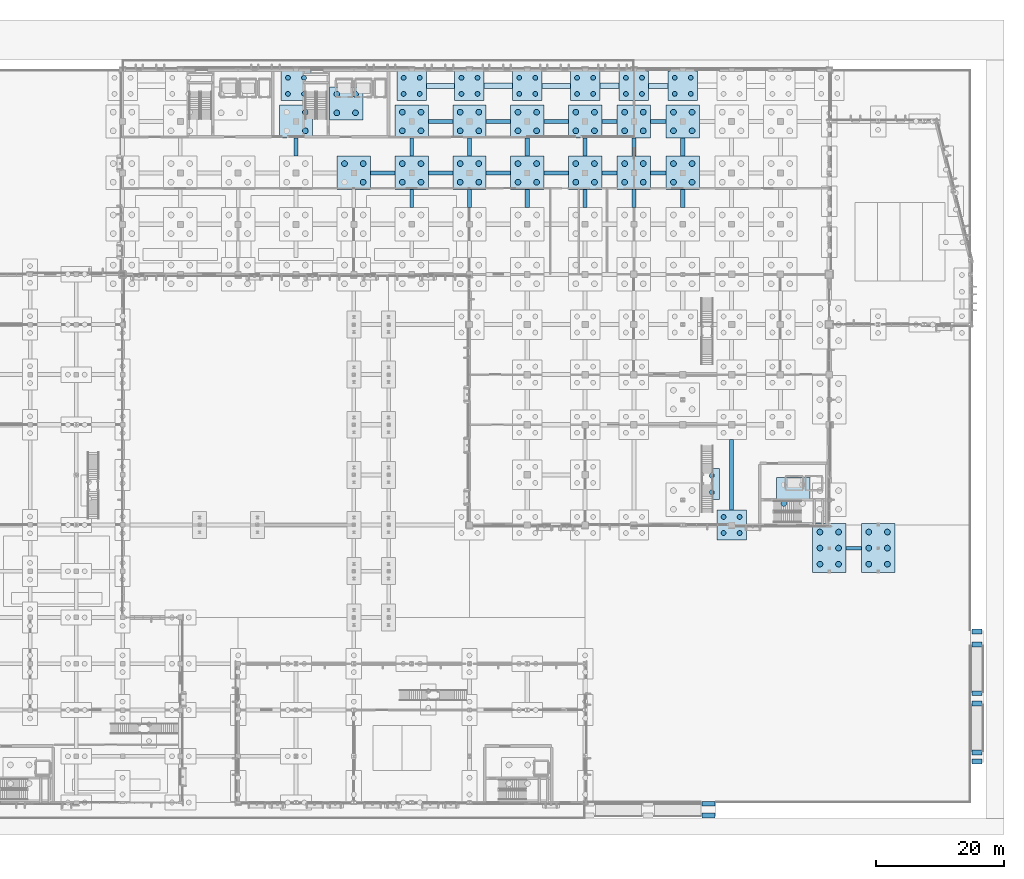
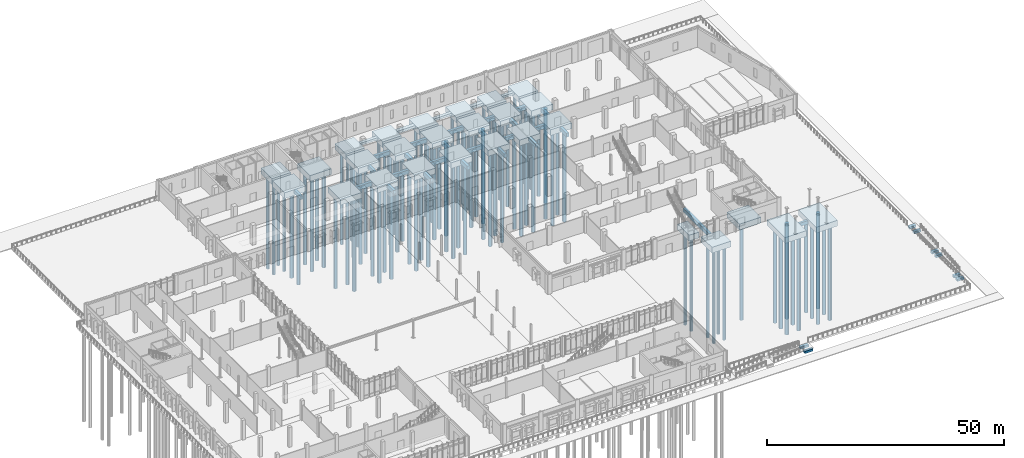
# One storey, part 12 of 94: 104 piles, 66 footings.
"""IFC4 building model written with IfcOpenShell, lengths in metres."""

from ifc_helpers import new_model, si_unit, direction, frame, origin, origin_2d, place, context, subcontext, project, spatial, rectangle, circle, extrude, material, material_profile, profile_set, type_object, element, save


model = new_model("IFC4")

# Units and contexts
model_context = context("Model", 3, precision=1e-05, world=origin(), true_north=direction((0.0, 1.0)))
body_context = subcontext(model_context, "Body", "Model", "MODEL_VIEW")
ifc_project = project(units=[si_unit("LENGTHUNIT", "METRE"), si_unit("AREAUNIT", "SQUARE_METRE"), si_unit("VOLUMEUNIT", "CUBIC_METRE"), si_unit("PLANEANGLEUNIT", "RADIAN"), si_unit("MASSUNIT", "GRAM", prefix="KILO")], contexts=[model_context])

# Site, building, storey
site_placement = place(None, origin())
site = spatial("IfcSite", under=ifc_project, at=site_placement, CompositionType="ELEMENT")
building_placement = place(site_placement, origin())
building = spatial("IfcBuilding", under=site, at=building_placement, Name="Vervanel Yard Central Library", CompositionType="ELEMENT")
storey_placement = place(building_placement, origin())
storey = spatial("IfcBuildingStorey", under=building, at=storey_placement, Name="L00", CompositionType="ELEMENT", Elevation=0.0)

# Piles
ifc_material = material(Name="Concrete C40/50", Category="concrete")
ifc_material_profile_1 = material_profile(ifc_material, circle(Radius=0.375, at=origin_2d()), Name="BP D750", Category="concrete")
ifc_profile_set_1 = profile_set([ifc_material_profile_1], Name="Concrete C40/50")
pile_type_1 = type_object("IfcPileType", Name="Bored Concrete Pile D750", PredefinedType="BORED", material=ifc_profile_set_1)
for number, where, z_axis, x_axis, name in (
    (1, (61.75, 110.300048828125, -1.75), (0.0, 0.0, -1.0), (1.0, 0.0, 0.0), "Bored Concrete Pile 269 under PCAP-066"),
    (2, (64.25, 110.300048828125, -1.75), (0.0, 0.0, -1.0), (1.0, 0.0, 0.0), "Bored Concrete Pile 270 under PCAP-066"),
    (3, (61.75, 112.800048828125, -1.75), (0.0, 0.0, -1.0), (1.0, 0.0, 0.0), "Bored Concrete Pile 271 under PCAP-066"),
    (4, (64.25, 112.800048828125, -1.75), (0.0, 0.0, -1.0), (1.0, 0.0, 0.0), "Bored Concrete Pile 272 under PCAP-066"),
    (5, (79.75, 110.300048828125, -1.75), (0.0, 0.0, -1.0), (1.0, 0.0, 0.0), "Bored Concrete Pile 273 under PCAP-067"),
    (6, (82.25, 110.300048828125, -1.75), (0.0, 0.0, -1.0), (1.0, 0.0, 0.0), "Bored Concrete Pile 274 under PCAP-067"),
    (7, (79.75, 112.800048828125, -1.75), (0.0, 0.0, -1.0), (1.0, 0.0, 0.0), "Bored Concrete Pile 275 under PCAP-067"),
    (8, (82.25, 112.800048828125, -1.75), (0.0, 0.0, -1.0), (1.0, 0.0, 0.0), "Bored Concrete Pile 276 under PCAP-067"),
    (9, (88.75, 110.300048828125, -1.75), (0.0, 0.0, -1.0), (1.0, 0.0, 0.0), "Bored Concrete Pile 285 under PCAP-070"),
    (10, (91.25, 110.300048828125, -1.75), (0.0, 0.0, -1.0), (1.0, 0.0, 0.0), "Bored Concrete Pile 286 under PCAP-070"),
    (11, (88.75, 112.800048828125, -1.75), (0.0, 0.0, -1.0), (1.0, 0.0, 0.0), "Bored Concrete Pile 287 under PCAP-070"),
    (12, (91.25, 112.800048828125, -1.75), (0.0, 0.0, -1.0), (1.0, 0.0, 0.0), "Bored Concrete Pile 288 under PCAP-070"),
    (13, (97.75, 110.300048828125, -1.75), (0.0, 0.0, -1.0), (1.0, 0.0, 0.0), "Bored Concrete Pile 309 under PCAP-076"),
    (14, (100.25, 110.300048828125, -1.75), (0.0, 0.0, -1.0), (1.0, 0.0, 0.0), "Bored Concrete Pile 310 under PCAP-076"),
    (15, (97.75, 112.800048828125, -1.75), (0.0, 0.0, -1.0), (1.0, 0.0, 0.0), "Bored Concrete Pile 311 under PCAP-076"),
    (16, (100.25, 112.800048828125, -1.75), (0.0, 0.0, -1.0), (1.0, 0.0, 0.0), "Bored Concrete Pile 312 under PCAP-076"),
    (17, (106.75, 110.300048828125, -1.75), (0.0, 0.0, -1.0), (1.0, 0.0, 0.0), "Bored Concrete Pile 333 under PCAP-082"),
    (18, (109.25, 110.300048828125, -1.75), (0.0, 0.0, -1.0), (1.0, 0.0, 0.0), "Bored Concrete Pile 334 under PCAP-082"),
    (19, (106.75, 112.800048828125, -1.75), (0.0, 0.0, -1.0), (1.0, 0.0, 0.0), "Bored Concrete Pile 335 under PCAP-082"),
    (20, (109.25, 112.800048828125, -1.75), (0.0, 0.0, -1.0), (1.0, 0.0, 0.0), "Bored Concrete Pile 336 under PCAP-082"),
    (21, (114.35009765625, 110.300048828125, -1.75), (0.0, 0.0, -1.0), (1.0, 0.0, 0.0), "Bored Concrete Pile 353 under PCAP-087"),
    (22, (116.85009765625, 110.300048828125, -1.75), (0.0, 0.0, -1.0), (1.0, 0.0, 0.0), "Bored Concrete Pile 354 under PCAP-087"),
    (23, (114.35009765625, 112.800048828125, -1.75), (0.0, 0.0, -1.0), (1.0, 0.0, 0.0), "Bored Concrete Pile 355 under PCAP-087"),
    (24, (116.85009765625, 112.800048828125, -1.75), (0.0, 0.0, -1.0), (1.0, 0.0, 0.0), "Bored Concrete Pile 356 under PCAP-087"),
    (25, (121.949951171875, 110.300048828125, -1.75), (0.0, 0.0, -1.0), (1.0, 0.0, 0.0), "Bored Concrete Pile 361 under PCAP-089"),
    (26, (124.449951171875, 110.300048828125, -1.75), (0.0, 0.0, -1.0), (1.0, 0.0, 0.0), "Bored Concrete Pile 362 under PCAP-089"),
    (27, (121.949951171875, 112.800048828125, -1.75), (0.0, 0.0, -1.0), (1.0, 0.0, 0.0), "Bored Concrete Pile 363 under PCAP-089"),
    (28, (124.449951171875, 112.800048828125, -1.75), (0.0, 0.0, -1.0), (1.0, 0.0, 0.0), "Bored Concrete Pile 364 under PCAP-089"),
    (29, (129.550048828125, 41.949951171875, -1.75), (0.0, 0.0, -1.0), (1.0, 0.0, 0.0), "Bored Concrete Pile 365 under PCAP-090"),
    (30, (132.050048828125, 41.949951171875, -1.75), (0.0, 0.0, -1.0), (1.0, 0.0, 0.0), "Bored Concrete Pile 366 under PCAP-090"),
    (31, (129.550048828125, 44.449951171875, -1.75), (0.0, 0.0, -1.0), (1.0, 0.0, 0.0), "Bored Concrete Pile 367 under PCAP-090"),
    (32, (132.050048828125, 44.449951171875, -1.75), (0.0, 0.0, -1.0), (1.0, 0.0, 0.0), "Bored Concrete Pile 368 under PCAP-090"),
    (33, (127.719970703125, 48.280029296875, -1.75), (0.0, 0.0, -1.0), (1.0, 0.0, 0.0), "Bored Concrete Pile 511 under PCAP-153"),
    (34, (127.719970703125, 50.8798828125, -1.75), (0.0, 0.0, -1.0), (1.0, 0.0, 0.0), "Bored Concrete Pile 512 under PCAP-153"),
):
    element("IfcPile", number, at=place(storey_placement, frame(where, z_axis=z_axis, x_axis=x_axis)), inside=storey, type_object=pile_type_1, Name=name, PredefinedType="BORED", context=body_context, shape_type="SweptSolid", body=[
        extrude(circle(Radius=0.375, at=origin_2d()), origin(), (0.0, 0.0, 1.0), 24.25),
    ])
ifc_material_profile_2 = material_profile(ifc_material, circle(Radius=0.449951171875, at=origin_2d()), Name="BP D900", Category="concrete")
ifc_profile_set_2 = profile_set([ifc_material_profile_2], Name="Concrete C40/50")
pile_type_2 = type_object("IfcPileType", Name="Bored Concrete Pile D900", PredefinedType="BORED", material=ifc_profile_set_2)
for number, where, z_axis, x_axis, name in (
    (35, (144.550048828125, 37.10009765625, -1.35400390625), (0.0, 0.0, -1.0), (1.0, 0.0, 0.0), "Bored Concrete Pile 1 under PCAP-001"),
    (36, (147.449951171875, 37.10009765625, -1.35400390625), (0.0, 0.0, -1.0), (1.0, 0.0, 0.0), "Bored Concrete Pile 2 under PCAP-001"),
    (37, (144.550048828125, 39.60009765625, -1.35400390625), (0.0, 0.0, -1.0), (1.0, 0.0, 0.0), "Bored Concrete Pile 3 under PCAP-001"),
    (38, (147.449951171875, 39.60009765625, -1.35400390625), (0.0, 0.0, -1.0), (1.0, 0.0, 0.0), "Bored Concrete Pile 4 under PCAP-001"),
    (39, (144.550048828125, 42.10009765625, -1.35400390625), (0.0, 0.0, -1.0), (1.0, 0.0, 0.0), "Bored Concrete Pile 5 under PCAP-001"),
    (40, (147.449951171875, 42.10009765625, -1.35400390625), (0.0, 0.0, -1.0), (1.0, 0.0, 0.0), "Bored Concrete Pile 6 under PCAP-001"),
    (41, (152.14990234375, 37.10009765625, -1.35400390625), (0.0, 0.0, -1.0), (1.0, 0.0, 0.0), "Bored Concrete Pile 19 under PCAP-004"),
    (42, (155.050048828125, 37.10009765625, -1.35400390625), (0.0, 0.0, -1.0), (1.0, 0.0, 0.0), "Bored Concrete Pile 20 under PCAP-004"),
    (43, (152.14990234375, 39.60009765625, -1.35400390625), (0.0, 0.0, -1.0), (1.0, 0.0, 0.0), "Bored Concrete Pile 21 under PCAP-004"),
    (44, (155.050048828125, 39.60009765625, -1.35400390625), (0.0, 0.0, -1.0), (1.0, 0.0, 0.0), "Bored Concrete Pile 22 under PCAP-004"),
    (45, (152.14990234375, 42.10009765625, -1.35400390625), (0.0, 0.0, -1.0), (1.0, 0.0, 0.0), "Bored Concrete Pile 23 under PCAP-004"),
    (46, (155.050048828125, 42.10009765625, -1.35400390625), (0.0, 0.0, -1.0), (1.0, 0.0, 0.0), "Bored Concrete Pile 24 under PCAP-004"),
):
    element("IfcPile", number, at=place(storey_placement, frame(where, z_axis=z_axis, x_axis=x_axis)), inside=storey, type_object=pile_type_2, Name=name, PredefinedType="BORED", context=body_context, shape_type="SweptSolid", body=[
        extrude(circle(Radius=0.449951171875, at=origin_2d()), origin(), (0.0, 0.0, 1.0), 24.64599609375),
    ])
for number, where, z_axis, x_axis, name in (
    (47, (64.449951171875, 104.550048828125, -1.75), (0.0, 0.0, -1.0), (1.0, 0.0, 0.0), "Bored Concrete Pile 94 under PCAP-022"),
    (48, (64.449951171875, 107.449951171875, -1.75), (0.0, 0.0, -1.0), (1.0, 0.0, 0.0), "Bored Concrete Pile 96 under PCAP-022"),
    (49, (69.35009765625, 107.35009765625, -1.75), (0.0, 0.0, -1.0), (1.0, 0.0, 0.0), "Bored Concrete Pile 97 under PCAP-023"),
    (50, (72.25, 107.35009765625, -1.75), (0.0, 0.0, -1.0), (1.0, 0.0, 0.0), "Bored Concrete Pile 98 under PCAP-023"),
    (51, (69.35009765625, 110.25, -1.75), (0.0, 0.0, -1.0), (1.0, 0.0, 0.0), "Bored Concrete Pile 99 under PCAP-023"),
    (52, (72.25, 110.25, -1.75), (0.0, 0.0, -1.0), (1.0, 0.0, 0.0), "Bored Concrete Pile 100 under PCAP-023"),
    (53, (73.449951171875, 96.550048828125, -1.75), (0.0, 0.0, -1.0), (1.0, 0.0, 0.0), "Bored Concrete Pile 110 under PCAP-026"),
    (54, (70.550048828125, 99.449951171875, -1.75), (0.0, 0.0, -1.0), (1.0, 0.0, 0.0), "Bored Concrete Pile 111 under PCAP-026"),
    (55, (73.449951171875, 99.449951171875, -1.75), (0.0, 0.0, -1.0), (1.0, 0.0, 0.0), "Bored Concrete Pile 112 under PCAP-026"),
    (56, (79.550048828125, 96.550048828125, -1.75), (0.0, 0.0, -1.0), (1.0, 0.0, 0.0), "Bored Concrete Pile 121 under PCAP-029"),
    (57, (82.449951171875, 96.550048828125, -1.75), (0.0, 0.0, -1.0), (1.0, 0.0, 0.0), "Bored Concrete Pile 122 under PCAP-029"),
    (58, (79.550048828125, 99.449951171875, -1.75), (0.0, 0.0, -1.0), (1.0, 0.0, 0.0), "Bored Concrete Pile 123 under PCAP-029"),
    (59, (82.449951171875, 99.449951171875, -1.75), (0.0, 0.0, -1.0), (1.0, 0.0, 0.0), "Bored Concrete Pile 124 under PCAP-029"),
    (60, (79.550048828125, 104.550048828125, -1.75), (0.0, 0.0, -1.0), (1.0, 0.0, 0.0), "Bored Concrete Pile 125 under PCAP-030"),
    (61, (82.449951171875, 104.550048828125, -1.75), (0.0, 0.0, -1.0), (1.0, 0.0, 0.0), "Bored Concrete Pile 126 under PCAP-030"),
    (62, (79.550048828125, 107.449951171875, -1.75), (0.0, 0.0, -1.0), (1.0, 0.0, 0.0), "Bored Concrete Pile 127 under PCAP-030"),
    (63, (82.449951171875, 107.449951171875, -1.75), (0.0, 0.0, -1.0), (1.0, 0.0, 0.0), "Bored Concrete Pile 128 under PCAP-030"),
    (64, (88.550048828125, 96.550048828125, -1.75), (0.0, 0.0, -1.0), (1.0, 0.0, 0.0), "Bored Concrete Pile 137 under PCAP-033"),
    (65, (91.449951171875, 96.550048828125, -1.75), (0.0, 0.0, -1.0), (1.0, 0.0, 0.0), "Bored Concrete Pile 138 under PCAP-033"),
    (66, (88.550048828125, 99.449951171875, -1.75), (0.0, 0.0, -1.0), (1.0, 0.0, 0.0), "Bored Concrete Pile 139 under PCAP-033"),
    (67, (91.449951171875, 99.449951171875, -1.75), (0.0, 0.0, -1.0), (1.0, 0.0, 0.0), "Bored Concrete Pile 140 under PCAP-033"),
    (68, (88.550048828125, 104.550048828125, -1.75), (0.0, 0.0, -1.0), (1.0, 0.0, 0.0), "Bored Concrete Pile 141 under PCAP-034"),
    (69, (91.449951171875, 104.550048828125, -1.75), (0.0, 0.0, -1.0), (1.0, 0.0, 0.0), "Bored Concrete Pile 142 under PCAP-034"),
    (70, (88.550048828125, 107.449951171875, -1.75), (0.0, 0.0, -1.0), (1.0, 0.0, 0.0), "Bored Concrete Pile 143 under PCAP-034"),
    (71, (91.449951171875, 107.449951171875, -1.75), (0.0, 0.0, -1.0), (1.0, 0.0, 0.0), "Bored Concrete Pile 144 under PCAP-034"),
    (72, (97.550048828125, 96.550048828125, -1.75), (0.0, 0.0, -1.0), (1.0, 0.0, 0.0), "Bored Concrete Pile 157 under PCAP-038"),
    (73, (100.449951171875, 96.550048828125, -1.75), (0.0, 0.0, -1.0), (1.0, 0.0, 0.0), "Bored Concrete Pile 158 under PCAP-038"),
    (74, (97.550048828125, 99.449951171875, -1.75), (0.0, 0.0, -1.0), (1.0, 0.0, 0.0), "Bored Concrete Pile 159 under PCAP-038"),
    (75, (100.449951171875, 99.449951171875, -1.75), (0.0, 0.0, -1.0), (1.0, 0.0, 0.0), "Bored Concrete Pile 160 under PCAP-038"),
    (76, (97.550048828125, 104.550048828125, -1.75), (0.0, 0.0, -1.0), (1.0, 0.0, 0.0), "Bored Concrete Pile 161 under PCAP-039"),
    (77, (100.449951171875, 104.550048828125, -1.75), (0.0, 0.0, -1.0), (1.0, 0.0, 0.0), "Bored Concrete Pile 162 under PCAP-039"),
    (78, (97.550048828125, 107.449951171875, -1.75), (0.0, 0.0, -1.0), (1.0, 0.0, 0.0), "Bored Concrete Pile 163 under PCAP-039"),
    (79, (100.449951171875, 107.449951171875, -1.75), (0.0, 0.0, -1.0), (1.0, 0.0, 0.0), "Bored Concrete Pile 164 under PCAP-039"),
    (80, (106.550048828125, 96.550048828125, -1.75), (0.0, 0.0, -1.0), (1.0, 0.0, 0.0), "Bored Concrete Pile 173 under PCAP-042"),
    (81, (109.449951171875, 96.550048828125, -1.75), (0.0, 0.0, -1.0), (1.0, 0.0, 0.0), "Bored Concrete Pile 174 under PCAP-042"),
    (82, (106.550048828125, 99.449951171875, -1.75), (0.0, 0.0, -1.0), (1.0, 0.0, 0.0), "Bored Concrete Pile 175 under PCAP-042"),
    (83, (109.449951171875, 99.449951171875, -1.75), (0.0, 0.0, -1.0), (1.0, 0.0, 0.0), "Bored Concrete Pile 176 under PCAP-042"),
    (84, (106.550048828125, 104.550048828125, -1.75), (0.0, 0.0, -1.0), (1.0, 0.0, 0.0), "Bored Concrete Pile 177 under PCAP-043"),
    (85, (109.449951171875, 104.550048828125, -1.75), (0.0, 0.0, -1.0), (1.0, 0.0, 0.0), "Bored Concrete Pile 178 under PCAP-043"),
    (86, (106.550048828125, 107.449951171875, -1.75), (0.0, 0.0, -1.0), (1.0, 0.0, 0.0), "Bored Concrete Pile 179 under PCAP-043"),
    (87, (109.449951171875, 107.449951171875, -1.75), (0.0, 0.0, -1.0), (1.0, 0.0, 0.0), "Bored Concrete Pile 180 under PCAP-043"),
    (88, (114.14990234375, 96.550048828125, -1.75), (0.0, 0.0, -1.0), (1.0, 0.0, 0.0), "Bored Concrete Pile 189 under PCAP-046"),
    (89, (117.050048828125, 96.550048828125, -1.75), (0.0, 0.0, -1.0), (1.0, 0.0, 0.0), "Bored Concrete Pile 190 under PCAP-046"),
    (90, (114.14990234375, 99.449951171875, -1.75), (0.0, 0.0, -1.0), (1.0, 0.0, 0.0), "Bored Concrete Pile 191 under PCAP-046"),
    (91, (117.050048828125, 99.449951171875, -1.75), (0.0, 0.0, -1.0), (1.0, 0.0, 0.0), "Bored Concrete Pile 192 under PCAP-046"),
    (92, (114.14990234375, 104.550048828125, -1.75), (0.0, 0.0, -1.0), (1.0, 0.0, 0.0), "Bored Concrete Pile 193 under PCAP-047"),
    (93, (117.050048828125, 104.550048828125, -1.75), (0.0, 0.0, -1.0), (1.0, 0.0, 0.0), "Bored Concrete Pile 194 under PCAP-047"),
    (94, (114.14990234375, 107.449951171875, -1.75), (0.0, 0.0, -1.0), (1.0, 0.0, 0.0), "Bored Concrete Pile 195 under PCAP-047"),
    (95, (117.050048828125, 107.449951171875, -1.75), (0.0, 0.0, -1.0), (1.0, 0.0, 0.0), "Bored Concrete Pile 196 under PCAP-047"),
    (96, (121.75, 96.550048828125, -1.75), (0.0, 0.0, -1.0), (1.0, 0.0, 0.0), "Bored Concrete Pile 213 under PCAP-052"),
    (97, (124.64990234375, 96.550048828125, -1.75), (0.0, 0.0, -1.0), (1.0, 0.0, 0.0), "Bored Concrete Pile 214 under PCAP-052"),
    (98, (121.75, 99.449951171875, -1.75), (0.0, 0.0, -1.0), (1.0, 0.0, 0.0), "Bored Concrete Pile 215 under PCAP-052"),
    (99, (124.64990234375, 99.449951171875, -1.75), (0.0, 0.0, -1.0), (1.0, 0.0, 0.0), "Bored Concrete Pile 216 under PCAP-052"),
    (100, (121.75, 104.550048828125, -1.75), (0.0, 0.0, -1.0), (1.0, 0.0, 0.0), "Bored Concrete Pile 217 under PCAP-053"),
    (101, (124.64990234375, 104.550048828125, -1.75), (0.0, 0.0, -1.0), (1.0, 0.0, 0.0), "Bored Concrete Pile 218 under PCAP-053"),
    (102, (121.75, 107.449951171875, -1.75), (0.0, 0.0, -1.0), (1.0, 0.0, 0.0), "Bored Concrete Pile 219 under PCAP-053"),
    (103, (124.64990234375, 107.449951171875, -1.75), (0.0, 0.0, -1.0), (1.0, 0.0, 0.0), "Bored Concrete Pile 220 under PCAP-053"),
    (104, (138.949951171875, 46.550048828125, -1.75), (0.0, 0.0, -1.0), (1.0, 0.0, 0.0), "Bored Concrete Pile 253 under PCAP-062"),
):
    element("IfcPile", number, at=place(storey_placement, frame(where, z_axis=z_axis, x_axis=x_axis)), inside=storey, type_object=pile_type_2, Name=name, PredefinedType="BORED", context=body_context, shape_type="SweptSolid", body=[
        extrude(circle(Radius=0.449951171875, at=origin_2d()), origin(), (0.0, 0.0, 1.0), 24.25),
    ])

# Footings
footing_type_1 = type_object("IfcFootingType", Name="Combined 2-Pile Cap 2400x4800x1500", PredefinedType="PILE_CAP", material=ifc_material)
footing_1_placement = place(storey_placement, frame((127.719970703125, 49.580078125, -1.89990234375), z_axis=(0.0, 0.0, 1.0), x_axis=(1.0, 0.0, 0.0)))
element("IfcFooting", 105, at=footing_1_placement, inside=storey, type_object=footing_type_1, Name="Combined Pile Cap PCAP-153 (PC-01)", PredefinedType="PILE_CAP", context=body_context, shape_type="SweptSolid", body=[
    extrude(rectangle(XDim=2.39990234375, YDim=4.800048828125, at=origin_2d()), origin(), (0.0, 0.0, 1.0), 1.5),
])
footing_type_2 = type_object("IfcFootingType", Name="Combined 4-Pile Cap 4600x4600x1500", PredefinedType="PILE_CAP", material=ifc_material)
for number, where, z_axis, x_axis, name in (
    (106, (63.0, 111.550048828125, -1.89990234375), (0.0, 0.0, 1.0), (1.0, 0.0, 0.0), "Combined Pile Cap PCAP-066 (PC-03)"),
    (107, (81.0, 111.550048828125, -1.89990234375), (0.0, 0.0, 1.0), (1.0, 0.0, 0.0), "Combined Pile Cap PCAP-067 (PC-03)"),
    (108, (90.0, 111.550048828125, -1.89990234375), (0.0, 0.0, 1.0), (1.0, 0.0, 0.0), "Combined Pile Cap PCAP-070 (PC-03)"),
    (109, (99.0, 111.550048828125, -1.89990234375), (0.0, 0.0, 1.0), (1.0, 0.0, 0.0), "Combined Pile Cap PCAP-076 (PC-03)"),
    (110, (108.0, 111.550048828125, -1.89990234375), (0.0, 0.0, 1.0), (1.0, 0.0, 0.0), "Combined Pile Cap PCAP-082 (PC-03)"),
    (111, (115.60009765625, 111.550048828125, -1.89990234375), (0.0, 0.0, 1.0), (1.0, 0.0, 0.0), "Combined Pile Cap PCAP-087 (PC-03)"),
    (112, (123.199951171875, 111.550048828125, -1.89990234375), (0.0, 0.0, 1.0), (1.0, 0.0, 0.0), "Combined Pile Cap PCAP-089 (PC-03)"),
    (113, (130.800048828125, 43.199951171875, -1.89990234375), (0.0, 0.0, 1.0), (1.0, 0.0, 0.0), "Combined Pile Cap PCAP-090 (PC-03)"),
):
    element("IfcFooting", number, at=place(storey_placement, frame(where, z_axis=z_axis, x_axis=x_axis)), inside=storey, type_object=footing_type_2, Name=name, PredefinedType="PILE_CAP", context=body_context, shape_type="SweptSolid", body=[
        extrude(rectangle(XDim=4.60009765625, YDim=4.60009765625, at=origin_2d()), origin(), (0.0, 0.0, 1.0), 1.5),
    ])
footing_type_3 = type_object("IfcFootingType", Name="Combined 4-Pile Heavy Cap 5200x5200x1500", PredefinedType="PILE_CAP", material=ifc_material)
for number, where, z_axis, x_axis, name in (
    (114, (63.0, 106.0, -1.89990234375), (0.0, 0.0, 1.0), (1.0, 0.0, 0.0), "Combined Pile Cap PCAP-022 (PC-04)"),
    (115, (70.800048828125, 108.800048828125, -1.89990234375), (0.0, 0.0, 1.0), (1.0, 0.0, 0.0), "Combined Pile Cap PCAP-023 (PC-04)"),
    (116, (72.0, 98.0, -1.89990234375), (0.0, 0.0, 1.0), (1.0, 0.0, 0.0), "Combined Pile Cap PCAP-026 (PC-04)"),
    (117, (81.0, 98.0, -1.89990234375), (0.0, 0.0, 1.0), (1.0, 0.0, 0.0), "Combined Pile Cap PCAP-029 (PC-04)"),
    (118, (81.0, 106.0, -1.89990234375), (0.0, 0.0, 1.0), (1.0, 0.0, 0.0), "Combined Pile Cap PCAP-030 (PC-04)"),
    (119, (90.0, 98.0, -1.89990234375), (0.0, 0.0, 1.0), (1.0, 0.0, 0.0), "Combined Pile Cap PCAP-033 (PC-04)"),
    (120, (90.0, 106.0, -1.89990234375), (0.0, 0.0, 1.0), (1.0, 0.0, 0.0), "Combined Pile Cap PCAP-034 (PC-04)"),
    (121, (99.0, 98.0, -1.89990234375), (0.0, 0.0, 1.0), (1.0, 0.0, 0.0), "Combined Pile Cap PCAP-038 (PC-04)"),
    (122, (99.0, 106.0, -1.89990234375), (0.0, 0.0, 1.0), (1.0, 0.0, 0.0), "Combined Pile Cap PCAP-039 (PC-04)"),
    (123, (108.0, 98.0, -1.89990234375), (0.0, 0.0, 1.0), (1.0, 0.0, 0.0), "Combined Pile Cap PCAP-042 (PC-04)"),
    (124, (108.0, 106.0, -1.89990234375), (0.0, 0.0, 1.0), (1.0, 0.0, 0.0), "Combined Pile Cap PCAP-043 (PC-04)"),
    (125, (115.60009765625, 98.0, -1.89990234375), (0.0, 0.0, 1.0), (1.0, 0.0, 0.0), "Combined Pile Cap PCAP-046 (PC-04)"),
    (126, (115.60009765625, 106.0, -1.89990234375), (0.0, 0.0, 1.0), (1.0, 0.0, 0.0), "Combined Pile Cap PCAP-047 (PC-04)"),
    (127, (123.199951171875, 98.0, -1.89990234375), (0.0, 0.0, 1.0), (1.0, 0.0, 0.0), "Combined Pile Cap PCAP-052 (PC-04)"),
    (128, (123.199951171875, 106.0, -1.89990234375), (0.0, 0.0, 1.0), (1.0, 0.0, 0.0), "Combined Pile Cap PCAP-053 (PC-04)"),
    (129, (140.39990234375, 48.0, -1.89990234375), (0.0, 0.0, 1.0), (1.0, 0.0, 0.0), "Combined Pile Cap PCAP-062 (PC-04)"),
):
    element("IfcFooting", number, at=place(storey_placement, frame(where, z_axis=z_axis, x_axis=x_axis)), inside=storey, type_object=footing_type_3, Name=name, PredefinedType="PILE_CAP", context=body_context, shape_type="SweptSolid", body=[
        extrude(rectangle(XDim=5.199951171875, YDim=5.199951171875, at=origin_2d()), origin(), (0.0, 0.0, 1.0), 1.5),
    ])
footing_type_4 = type_object("IfcFootingType", Name="Combined 6-Pile Fulcrum Cap 5200x7600x1500", PredefinedType="PILE_CAP", material=ifc_material)
for number, where, z_axis, x_axis, name in (
    (130, (146.0, 39.60009765625, -1.50390625), (0.0, 0.0, 1.0), (1.0, 0.0, 0.0), "Combined Pile Cap PCAP-001 (PC-05)"),
    (131, (153.60009765625, 39.60009765625, -1.50390625), (0.0, 0.0, 1.0), (1.0, 0.0, 0.0), "Combined Pile Cap PCAP-004 (PC-05)"),
):
    element("IfcFooting", number, at=place(storey_placement, frame(where, z_axis=z_axis, x_axis=x_axis)), inside=storey, type_object=footing_type_4, Name=name, PredefinedType="PILE_CAP", context=body_context, shape_type="SweptSolid", body=[
        extrude(rectangle(XDim=5.199951171875, YDim=7.60009765625, at=origin_2d()), origin(), (0.0, 0.0, 1.0), 1.5),
    ])
ifc_material_profile_3 = material_profile(ifc_material, rectangle(XDim=0.550048828125, YDim=0.89990234375, at=origin_2d()), Name="RC 550x900", Category="concrete")
ifc_profile_set_3 = profile_set([ifc_material_profile_3], Name="Concrete C40/50")
footing_type_5 = type_object("IfcFootingType", Name="Concrete Footing Beam 550x900", PredefinedType="FOOTING_BEAM", material=ifc_profile_set_3)
footing_2_placement = place(storey_placement, frame((148.60009765625, 39.60009765625, -0.8701171875), z_axis=(1.0, 0.0, 0.0), x_axis=(0.0, 1.0, 0.0)))
element("IfcFooting", 132, at=footing_2_placement, inside=storey, type_object=footing_type_5, Name="Concrete Footing Beam FB-X-040", PredefinedType="FOOTING_BEAM", context=body_context, shape_type="SweptSolid", body=[
    extrude(rectangle(XDim=0.550048828125, YDim=0.89990234375, at=origin_2d()), origin(), (0.0, 0.0, 1.0), 2.39990234375),
])
for number, where, z_axis, x_axis, name in (
    (133, (63.0, 100.60009765625, -0.8701171875), (0.0, 1.0, 0.0), (-1.0, 0.0, 0.0), "Concrete Footing Beam FB-Y-212"),
    (134, (81.0, 92.60009765625, -0.8701171875), (0.0, 1.0, 0.0), (-1.0, 0.0, 0.0), "Concrete Footing Beam FB-Y-232"),
    (135, (81.0, 100.60009765625, -0.8701171875), (0.0, 1.0, 0.0), (-1.0, 0.0, 0.0), "Concrete Footing Beam FB-Y-233"),
):
    element("IfcFooting", number, at=place(storey_placement, frame(where, z_axis=z_axis, x_axis=x_axis)), inside=storey, type_object=footing_type_5, Name=name, PredefinedType="FOOTING_BEAM", context=body_context, shape_type="SweptSolid", body=[
        extrude(rectangle(XDim=0.550048828125, YDim=0.89990234375, at=origin_2d()), origin(), (0.0, 0.0, 1.0), 2.7998046875),
    ])
ifc_material_profile_4 = material_profile(ifc_material, rectangle(XDim=0.64990234375, YDim=1.0, at=origin_2d()), Name="RC 650x1000", Category="concrete")
ifc_profile_set_4 = profile_set([ifc_material_profile_4], Name="Concrete C40/50")
footing_type_6 = type_object("IfcFootingType", Name="Concrete Footing Beam 650x1000", PredefinedType="FOOTING_BEAM", material=ifc_profile_set_4)
for number, where, z_axis, x_axis, name in (
    (136, (74.60009765625, 98.0, -0.919921875), (1.0, 0.0, 0.0), (0.0, 1.0, 0.0), "Concrete Footing Beam FB-X-125"),
    (137, (83.60009765625, 98.0, -0.919921875), (1.0, 0.0, 0.0), (0.0, 1.0, 0.0), "Concrete Footing Beam FB-X-126"),
    (138, (92.60009765625, 98.0, -0.919921875), (1.0, 0.0, 0.0), (0.0, 1.0, 0.0), "Concrete Footing Beam FB-X-127"),
    (139, (101.60009765625, 98.0, -0.919921875), (1.0, 0.0, 0.0), (0.0, 1.0, 0.0), "Concrete Footing Beam FB-X-128"),
):
    element("IfcFooting", number, at=place(storey_placement, frame(where, z_axis=z_axis, x_axis=x_axis)), inside=storey, type_object=footing_type_6, Name=name, PredefinedType="FOOTING_BEAM", context=body_context, shape_type="SweptSolid", body=[
        extrude(rectangle(XDim=0.64990234375, YDim=1.0, at=origin_2d()), origin(), (0.0, 0.0, 1.0), 3.7998046875),
    ])
footing_3_placement = place(storey_placement, frame((110.60009765625, 98.0, -0.919921875), z_axis=(1.0, 0.0, 0.0), x_axis=(0.0, 1.0, 0.0)))
element("IfcFooting", 140, at=footing_3_placement, inside=storey, type_object=footing_type_6, Name="Concrete Footing Beam FB-X-129", PredefinedType="FOOTING_BEAM", context=body_context, shape_type="SweptSolid", body=[
    extrude(rectangle(XDim=0.64990234375, YDim=1.0, at=origin_2d()), origin(), (0.0, 0.0, 1.0), 2.39990234375),
])
footing_4_placement = place(storey_placement, frame((118.199951171875, 98.0, -0.919921875), z_axis=(1.0, 0.0, 0.0), x_axis=(0.0, 1.0, 0.0)))
element("IfcFooting", 141, at=footing_4_placement, inside=storey, type_object=footing_type_6, Name="Concrete Footing Beam FB-X-130", PredefinedType="FOOTING_BEAM", context=body_context, shape_type="SweptSolid", body=[
    extrude(rectangle(XDim=0.64990234375, YDim=1.0, at=origin_2d()), origin(), (0.0, 0.0, 1.0), 2.400146484375),
])
for number, where, z_axis, x_axis, name in (
    (142, (83.60009765625, 106.0, -0.919921875), (1.0, 0.0, 0.0), (0.0, 1.0, 0.0), "Concrete Footing Beam FB-X-134"),
    (143, (92.60009765625, 106.0, -0.919921875), (1.0, 0.0, 0.0), (0.0, 1.0, 0.0), "Concrete Footing Beam FB-X-135"),
    (144, (101.60009765625, 106.0, -0.919921875), (1.0, 0.0, 0.0), (0.0, 1.0, 0.0), "Concrete Footing Beam FB-X-136"),
):
    element("IfcFooting", number, at=place(storey_placement, frame(where, z_axis=z_axis, x_axis=x_axis)), inside=storey, type_object=footing_type_6, Name=name, PredefinedType="FOOTING_BEAM", context=body_context, shape_type="SweptSolid", body=[
        extrude(rectangle(XDim=0.64990234375, YDim=1.0, at=origin_2d()), origin(), (0.0, 0.0, 1.0), 3.7998046875),
    ])
footing_5_placement = place(storey_placement, frame((110.60009765625, 106.0, -0.919921875), z_axis=(1.0, 0.0, 0.0), x_axis=(0.0, 1.0, 0.0)))
element("IfcFooting", 145, at=footing_5_placement, inside=storey, type_object=footing_type_6, Name="Concrete Footing Beam FB-X-137", PredefinedType="FOOTING_BEAM", context=body_context, shape_type="SweptSolid", body=[
    extrude(rectangle(XDim=0.64990234375, YDim=1.0, at=origin_2d()), origin(), (0.0, 0.0, 1.0), 2.39990234375),
])
footing_6_placement = place(storey_placement, frame((118.199951171875, 106.0, -0.919921875), z_axis=(1.0, 0.0, 0.0), x_axis=(0.0, 1.0, 0.0)))
element("IfcFooting", 146, at=footing_6_placement, inside=storey, type_object=footing_type_6, Name="Concrete Footing Beam FB-X-138", PredefinedType="FOOTING_BEAM", context=body_context, shape_type="SweptSolid", body=[
    extrude(rectangle(XDim=0.64990234375, YDim=1.0, at=origin_2d()), origin(), (0.0, 0.0, 1.0), 2.400146484375),
])
for number, where, z_axis, x_axis, name in (
    (147, (90.0, 92.60009765625, -0.919921875), (0.0, 1.0, 0.0), (-1.0, 0.0, 0.0), "Concrete Footing Beam FB-Y-238"),
    (148, (90.0, 100.60009765625, -0.919921875), (0.0, 1.0, 0.0), (-1.0, 0.0, 0.0), "Concrete Footing Beam FB-Y-239"),
    (149, (99.0, 92.60009765625, -0.919921875), (0.0, 1.0, 0.0), (-1.0, 0.0, 0.0), "Concrete Footing Beam FB-Y-247"),
    (150, (99.0, 100.60009765625, -0.919921875), (0.0, 1.0, 0.0), (-1.0, 0.0, 0.0), "Concrete Footing Beam FB-Y-248"),
    (151, (108.0, 92.60009765625, -0.919921875), (0.0, 1.0, 0.0), (-1.0, 0.0, 0.0), "Concrete Footing Beam FB-Y-257"),
    (152, (108.0, 100.60009765625, -0.919921875), (0.0, 1.0, 0.0), (-1.0, 0.0, 0.0), "Concrete Footing Beam FB-Y-258"),
    (153, (115.60009765625, 92.60009765625, -0.919921875), (0.0, 1.0, 0.0), (-1.0, 0.0, 0.0), "Concrete Footing Beam FB-Y-264"),
    (154, (115.60009765625, 100.60009765625, -0.919921875), (0.0, 1.0, 0.0), (-1.0, 0.0, 0.0), "Concrete Footing Beam FB-Y-265"),
    (155, (123.199951171875, 92.60009765625, -0.919921875), (0.0, 1.0, 0.0), (-1.0, 0.0, 0.0), "Concrete Footing Beam FB-Y-268"),
    (156, (123.199951171875, 100.60009765625, -0.919921875), (0.0, 1.0, 0.0), (-1.0, 0.0, 0.0), "Concrete Footing Beam FB-Y-269"),
):
    element("IfcFooting", number, at=place(storey_placement, frame(where, z_axis=z_axis, x_axis=x_axis)), inside=storey, type_object=footing_type_6, Name=name, PredefinedType="FOOTING_BEAM", context=body_context, shape_type="SweptSolid", body=[
        extrude(rectangle(XDim=0.64990234375, YDim=1.0, at=origin_2d()), origin(), (0.0, 0.0, 1.0), 2.7998046875),
    ])
footing_7_placement = place(storey_placement, frame((130.800048828125, 45.5, -0.919921875), z_axis=(0.0, 1.0, 0.0), x_axis=(-1.0, 0.0, 0.0)))
element("IfcFooting", 157, at=footing_7_placement, inside=storey, type_object=footing_type_6, Name="Concrete Footing Beam FB-Y-270", PredefinedType="FOOTING_BEAM", context=body_context, shape_type="SweptSolid", body=[
    extrude(rectangle(XDim=0.64990234375, YDim=1.0, at=origin_2d()), origin(), (0.0, 0.0, 1.0), 11.0),
])
ifc_material_profile_5 = material_profile(ifc_material, rectangle(XDim=0.89990234375, YDim=0.60009765625, at=origin_2d()), Name="RC 900x600", Category="concrete")
ifc_profile_set_5 = profile_set([ifc_material_profile_5], Name="Concrete C40/50")
footing_type_7 = type_object("IfcFootingType", Name="Concrete Perimeter Strip Footing 900x600", PredefinedType="STRIP_FOOTING", material=ifc_profile_set_5)
footing_8_placement = place(storey_placement, frame((92.300048828125, 111.550048828125, -0.719970703125), z_axis=(1.0, 0.0, 0.0), x_axis=(0.0, 1.0, 0.0)))
element("IfcFooting", 158, at=footing_8_placement, inside=storey, type_object=footing_type_7, Name="Perimeter Strip Footing SF-X-003", PredefinedType="STRIP_FOOTING", context=body_context, shape_type="SweptSolid", body=[
    extrude(rectangle(XDim=0.89990234375, YDim=0.60009765625, at=origin_2d()), origin(), (0.0, 0.0, 1.0), 4.39990234375),
])
footing_9_placement = place(storey_placement, frame((110.300048828125, 111.550048828125, -0.719970703125), z_axis=(1.0, 0.0, 0.0), x_axis=(0.0, 1.0, 0.0)))
element("IfcFooting", 159, at=footing_9_placement, inside=storey, type_object=footing_type_7, Name="Perimeter Strip Footing SF-X-005", PredefinedType="STRIP_FOOTING", context=body_context, shape_type="SweptSolid", body=[
    extrude(rectangle(XDim=0.89990234375, YDim=0.60009765625, at=origin_2d()), origin(), (0.0, 0.0, 1.0), 3.0),
])
ifc_material_profile_6 = material_profile(ifc_material, rectangle(XDim=0.75, YDim=0.550048828125, at=origin_2d()), Name="RC 750x550", Category="concrete")
ifc_profile_set_6 = profile_set([ifc_material_profile_6], Name="Concrete C40/50")
footing_type_8 = type_object("IfcFootingType", Name="Concrete Plinth Strip Footing 750x550", PredefinedType="STRIP_FOOTING", material=ifc_profile_set_6)
for number, where, z_axis, x_axis, name in (
    (160, (126.199951171875, -2.0, -0.47509765625), (1.0, 0.0, 0.0), (0.0, 1.0, 0.0), "Ramp RM-01 Landing Strip Footing 5"),
    (161, (126.199951171875, -0.199951171875, -0.47509765625), (1.0, 0.0, 0.0), (0.0, 1.0, 0.0), "Ramp RM-01 Landing Strip Footing 6"),
):
    element("IfcFooting", number, at=place(storey_placement, frame(where, z_axis=z_axis, x_axis=x_axis)), inside=storey, type_object=footing_type_8, Name=name, PredefinedType="STRIP_FOOTING", context=body_context, shape_type="SweptSolid", body=[
        extrude(rectangle(XDim=0.75, YDim=0.550048828125, at=origin_2d()), origin(), (0.0, 0.0, 1.0), 2.0),
    ])
for number, where, z_axis, x_axis, name in (
    (162, (168.199951171875, 6.39990234375, -1.675048828125), (1.0, 0.0, 0.0), (0.0, 1.0, 0.0), "Ramp RM-02 Landing Strip Footing 7"),
    (163, (168.199951171875, 7.800048828125, -1.675048828125), (1.0, 0.0, 0.0), (0.0, 1.0, 0.0), "Ramp RM-02 Landing Strip Footing 8"),
    (164, (168.199951171875, 15.39990234375, -1.074951171875), (1.0, 0.0, 0.0), (0.0, 1.0, 0.0), "Ramp RM-02 Landing Strip Footing 9"),
    (165, (168.199951171875, 17.0, -1.074951171875), (1.0, 0.0, 0.0), (0.0, 1.0, 0.0), "Ramp RM-02 Landing Strip Footing 10"),
    (166, (168.199951171875, 24.60009765625, -0.47509765625), (1.0, 0.0, 0.0), (0.0, 1.0, 0.0), "Ramp RM-02 Landing Strip Footing 11"),
    (167, (168.199951171875, 26.60009765625, -0.47509765625), (1.0, 0.0, 0.0), (0.0, 1.0, 0.0), "Ramp RM-02 Landing Strip Footing 12"),
):
    element("IfcFooting", number, at=place(storey_placement, frame(where, z_axis=z_axis, x_axis=x_axis)), inside=storey, type_object=footing_type_8, Name=name, PredefinedType="STRIP_FOOTING", context=body_context, shape_type="SweptSolid", body=[
        extrude(rectangle(XDim=0.75, YDim=0.550048828125, at=origin_2d()), origin(), (0.0, 0.0, 1.0), 1.60009765625),
    ])
for number, where, z_axis, x_axis, name in (
    (168, (83.300048828125, 111.550048828125, -0.695068359375), (1.0, 0.0, 0.0), (0.0, 1.0, 0.0), "Perimeter Strip Footing SF-X-002"),
    (169, (101.300048828125, 111.550048828125, -0.695068359375), (1.0, 0.0, 0.0), (0.0, 1.0, 0.0), "Perimeter Strip Footing SF-X-004"),
):
    element("IfcFooting", number, at=place(storey_placement, frame(where, z_axis=z_axis, x_axis=x_axis)), inside=storey, type_object=footing_type_8, Name=name, PredefinedType="STRIP_FOOTING", context=body_context, shape_type="SweptSolid", body=[
        extrude(rectangle(XDim=0.75, YDim=0.550048828125, at=origin_2d()), origin(), (0.0, 0.0, 1.0), 4.39990234375),
    ])
footing_10_placement = place(storey_placement, frame((117.89990234375, 111.550048828125, -0.695068359375), z_axis=(1.0, 0.0, 0.0), x_axis=(0.0, 1.0, 0.0)))
element("IfcFooting", 170, at=footing_10_placement, inside=storey, type_object=footing_type_8, Name="Perimeter Strip Footing SF-X-006", PredefinedType="STRIP_FOOTING", context=body_context, shape_type="SweptSolid", body=[
    extrude(rectangle(XDim=0.75, YDim=0.550048828125, at=origin_2d()), origin(), (0.0, 0.0, 1.0), 3.0),
])

save(model, "model.ifc")
